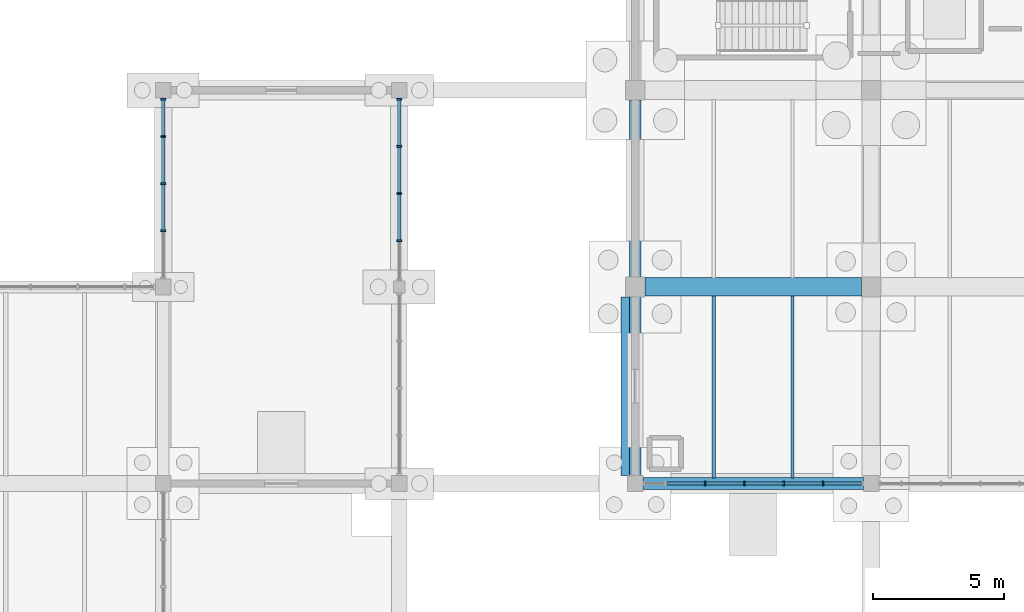
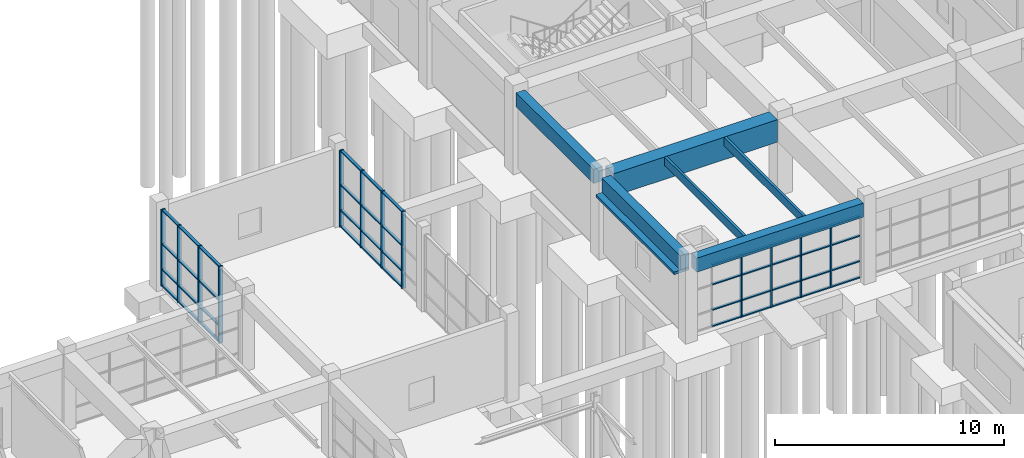
# One storey, part 21 of 93: 57 members, 6 beams, 3 elements without a shape of their own.
"""IFC4 building model written with IfcOpenShell, lengths in metres."""

from ifc_helpers import new_model, si_unit, direction, frame, origin, origin_2d, place, context, subcontext, project, spatial, rectangle, extrude, material, layer, layer_set, material_profile, profile_set, type_object, element, aggregate, save


model = new_model("IFC4")

# Units and contexts
model_context = context("Model", 3, precision=1e-05, world=origin(), true_north=direction((0.0, 1.0)))
body_context = subcontext(model_context, "Body", "Model", "MODEL_VIEW")
ifc_project = project(units=[si_unit("LENGTHUNIT", "METRE"), si_unit("AREAUNIT", "SQUARE_METRE"), si_unit("VOLUMEUNIT", "CUBIC_METRE"), si_unit("PLANEANGLEUNIT", "RADIAN"), si_unit("MASSUNIT", "GRAM", prefix="KILO")], contexts=[model_context])

# Site, building, storey
site_placement = place(None, origin())
site = spatial("IfcSite", under=ifc_project, at=site_placement, CompositionType="ELEMENT")
building_placement = place(site_placement, origin())
building = spatial("IfcBuilding", under=site, at=building_placement, Name="Marnridge Secondary College", CompositionType="ELEMENT")
storey_placement = place(building_placement, origin())
storey = spatial("IfcBuildingStorey", under=building, at=storey_placement, Name="L00", CompositionType="ELEMENT", Elevation=0.0)

# Beams
ifc_material_1 = material(Name="Engineered timber LVL E13.2", Category="wood")
ifc_material_profile_1 = material_profile(ifc_material_1, rectangle(XDim=0.1259765625, YDim=0.449951171875, at=origin_2d()), Name="LVL 126x450")
ifc_profile_set_1 = profile_set([ifc_material_profile_1], Name="Engineered timber LVL E13.2")
beam_type_1 = type_object("IfcBeamType", Name="BM-LVL450-INT", PredefinedType="JOIST", material=ifc_profile_set_1)
for number, where, z_axis, x_axis, name in (
    (1, (57.0, 37.718994140625, 3.85498046875), (0.0, 1.0, 0.0), (-1.0, 0.0, 0.0), "Beam BJ-L00-0093"),
    (2, (60.0, 37.718994140625, 3.85498046875), (0.0, 1.0, 0.0), (-1.0, 0.0, 0.0), "Beam BJ-L00-0094"),
):
    element("IfcBeam", number, at=place(storey_placement, frame(where, z_axis=z_axis, x_axis=x_axis)), inside=storey, type_object=beam_type_1, Name=name, PredefinedType="JOIST", context=body_context, shape_type="SweptSolid", body=[
        extrude(rectangle(XDim=0.1259765625, YDim=0.449951171875, at=origin_2d()), origin(), (0.0, 0.0, 1.0), 6.93701171875),
    ])
ifc_material_2 = material(Name="Concrete C40/50 (AS 3600 N40, 40 MPa)", Category="concrete")
ifc_material_profile_2 = material_profile(ifc_material_2, rectangle(XDim=0.449951171875, YDim=0.75, at=origin_2d()), Name="RC 450x750")
ifc_profile_set_2 = profile_set([ifc_material_profile_2], Name="Concrete C40/50 (AS 3600 N40, 40 MPa)")
beam_type_2 = type_object("IfcBeamType", Name="BM-RC4575-EXT", PredefinedType="SPANDREL", material=ifc_profile_set_2)
beam_1_placement = place(storey_placement, frame((54.2939453125, 37.5, 3.705078125), z_axis=(1.0, 0.0, 0.0), x_axis=(0.0, 1.0, 0.0)))
element("IfcBeam", 3, at=beam_1_placement, inside=storey, type_object=beam_type_2, Name="Beam BS-L00-0035", PredefinedType="SPANDREL", context=body_context, shape_type="SweptSolid", body=[
    extrude(rectangle(XDim=0.449951171875, YDim=0.75, at=origin_2d()), origin(), (0.0, 0.0, 1.0), 8.412109375),
])
beam_2_placement = place(storey_placement, frame((54.0, 37.7939453125, 3.705078125), z_axis=(0.0, 1.0, 0.0), x_axis=(-1.0, 0.0, 0.0)))
element("IfcBeam", 4, at=beam_2_placement, inside=storey, type_object=beam_type_2, Name="Beam BS-L00-0037", PredefinedType="SPANDREL", context=body_context, shape_type="SweptSolid", body=[
    extrude(rectangle(XDim=0.449951171875, YDim=0.75, at=origin_2d()), origin(), (0.0, 0.0, 1.0), 6.837158203125),
])
beam_3_placement = place(storey_placement, frame((54.0, 45.368896484375, 3.705078125), z_axis=(0.0, 1.0, 0.0), x_axis=(-1.0, 0.0, 0.0)))
element("IfcBeam", 5, at=beam_3_placement, inside=storey, type_object=beam_type_2, Name="Beam BS-L00-0040", PredefinedType="SPANDREL", context=body_context, shape_type="SweptSolid", body=[
    extrude(rectangle(XDim=0.449951171875, YDim=0.75, at=origin_2d()), origin(), (0.0, 0.0, 1.0), 6.76220703125),
])
ifc_material_3 = material(Name="Concrete C50/60 (AS 3600 N50, 50 MPa)", Category="concrete")
ifc_material_profile_3 = material_profile(ifc_material_3, rectangle(XDim=0.699951171875, YDim=1.199951171875, at=origin_2d()), Name="RC 700x1200")
ifc_profile_set_3 = profile_set([ifc_material_profile_3], Name="Concrete C50/60 (AS 3600 N50, 50 MPa)")
beam_type_3 = type_object("IfcBeamType", Name="BM-RC7012-INT", PredefinedType="BEAM", material=ifc_profile_set_3)
beam_4_placement = place(storey_placement, frame((54.368896484375, 45.0, 3.47998046875), z_axis=(1.0, 0.0, 0.0), x_axis=(0.0, 1.0, 0.0)))
element("IfcBeam", 6, at=beam_4_placement, inside=storey, type_object=beam_type_3, Name="Beam B-L00-0036", PredefinedType="BEAM", context=body_context, shape_type="SweptSolid", body=[
    extrude(rectangle(XDim=0.699951171875, YDim=1.199951171875, at=origin_2d()), origin(), (0.0, 0.0, 1.0), 8.26220703125),
])

# Curtain wall, members
ifc_material_4 = material(Name="Thermally broken aluminium and low-E glazing", Category="aluminium")
ifc_layer_1 = layer(ifc_material_4, 0.159912109375)
ifc_layer_set_1 = layer_set([ifc_layer_1], Name="CW-MOD-1500")
curtain_wall_type_1 = type_object("IfcCurtainWallType", Name="CW-MOD-1500", PredefinedType="NOTDEFINED", material=ifc_layer_set_1)
curtain_wall_1_placement = place(storey_placement, origin())
curtain_wall_1 = element("IfcCurtainWall", 7, at=curtain_wall_1_placement, inside=storey, type_object=curtain_wall_type_1, Name="Unitised curtain wall CW-L00-006", PredefinedType="NOTDEFINED")
ifc_material_5 = material(Name="Anodised aluminium 6063-T6", Category="aluminium")
ifc_material_profile_4 = material_profile(ifc_material_5, rectangle(XDim=0.06005859375, YDim=0.159912109375, at=origin_2d()), Name="ALU 60x160")
ifc_profile_set_4 = profile_set([ifc_material_profile_4], Name="Anodised aluminium 6063-T6")
member_type_1 = type_object("IfcMemberType", Name="CWM-ALU160", PredefinedType="MULLION", material=ifc_profile_set_4)
member_1_placement = place(storey_placement, frame((61.166015625, 37.5, 0.0), z_axis=(0.0, 0.0, 1.0), x_axis=(-1.0, 0.0, 0.0)))
member_1 = element("IfcMember", 8, at=member_1_placement, type_object=member_type_1, Name="CW-L00-006 mullion 2", PredefinedType="MULLION", context=body_context, shape_type="SweptSolid", body=[
    extrude(rectangle(XDim=0.06005859375, YDim=0.159912109375, at=origin_2d()), origin(), (0.0, 0.0, 1.0), 3.322021484375),
])
member_2_placement = place(storey_placement, frame((59.666015625, 37.5, 0.0), z_axis=(0.0, 0.0, 1.0), x_axis=(-1.0, 0.0, 0.0)))
member_2 = element("IfcMember", 9, at=member_2_placement, type_object=member_type_1, Name="CW-L00-006 mullion 3", PredefinedType="MULLION", context=body_context, shape_type="SweptSolid", body=[
    extrude(rectangle(XDim=0.06005859375, YDim=0.159912109375, at=origin_2d()), origin(), (0.0, 0.0, 1.0), 3.322021484375),
])
member_3_placement = place(storey_placement, frame((58.166015625, 37.5, 0.0), z_axis=(0.0, 0.0, 1.0), x_axis=(-1.0, 0.0, 0.0)))
member_3 = element("IfcMember", 10, at=member_3_placement, type_object=member_type_1, Name="CW-L00-006 mullion 4", PredefinedType="MULLION", context=body_context, shape_type="SweptSolid", body=[
    extrude(rectangle(XDim=0.06005859375, YDim=0.159912109375, at=origin_2d()), origin(), (0.0, 0.0, 1.0), 3.322021484375),
])
member_4_placement = place(storey_placement, frame((56.666015625, 37.5, 0.0), z_axis=(0.0, 0.0, 1.0), x_axis=(-1.0, 0.0, 0.0)))
member_4 = element("IfcMember", 11, at=member_4_placement, type_object=member_type_1, Name="CW-L00-006 mullion 5", PredefinedType="MULLION", context=body_context, shape_type="SweptSolid", body=[
    extrude(rectangle(XDim=0.06005859375, YDim=0.159912109375, at=origin_2d()), origin(), (0.0, 0.0, 1.0), 3.322021484375),
])

ifc_material_6 = material(Name="Bronze-anodised aluminium and solar-control glazing", Category="aluminium")
ifc_layer_2 = layer(ifc_material_6, 0.199951171875)
ifc_layer_set_2 = layer_set([ifc_layer_2], Name="CW-MOD-1800")
curtain_wall_type_2 = type_object("IfcCurtainWallType", Name="CW-MOD-1800", PredefinedType="NOTDEFINED", material=ifc_layer_set_2)
curtain_wall_2_placement = place(storey_placement, origin())
curtain_wall_2 = element("IfcCurtainWall", 12, at=curtain_wall_2_placement, inside=storey, type_object=curtain_wall_type_2, Name="Unitised curtain wall CW-L00-020", PredefinedType="NOTDEFINED")
ifc_material_7 = material(Name="Bronze-anodised aluminium 6063-T6", Category="aluminium")
ifc_material_profile_5 = material_profile(ifc_material_7, rectangle(XDim=0.070068359375, YDim=0.199951171875, at=origin_2d()), Name="ALU 70x200")
ifc_profile_set_5 = profile_set([ifc_material_profile_5], Name="Bronze-anodised aluminium 6063-T6")
member_type_2 = type_object("IfcMemberType", Name="CWM-ALU200", PredefinedType="MULLION", material=ifc_profile_set_5)
member_5_placement = place(storey_placement, frame((36.0, 47.138916015625, 0.0), z_axis=(0.0, 0.0, 1.0), x_axis=(0.0, 1.0, 0.0)))
member_5 = element("IfcMember", 13, at=member_5_placement, type_object=member_type_2, Name="CW-L00-020 mullion 2", PredefinedType="MULLION", context=body_context, shape_type="SweptSolid", body=[
    extrude(rectangle(XDim=0.070068359375, YDim=0.199951171875, at=origin_2d()), origin(), (0.0, 0.0, 1.0), 4.090087890625),
])
member_6_placement = place(storey_placement, frame((36.0, 48.93896484375, 0.0), z_axis=(0.0, 0.0, 1.0), x_axis=(0.0, 1.0, 0.0)))
member_6 = element("IfcMember", 14, at=member_6_placement, type_object=member_type_2, Name="CW-L00-020 mullion 3", PredefinedType="MULLION", context=body_context, shape_type="SweptSolid", body=[
    extrude(rectangle(XDim=0.070068359375, YDim=0.199951171875, at=origin_2d()), origin(), (0.0, 0.0, 1.0), 4.090087890625),
])
member_7_placement = place(storey_placement, frame((36.0, 50.739013671875, 0.0), z_axis=(0.0, 0.0, 1.0), x_axis=(0.0, 1.0, 0.0)))
member_7 = element("IfcMember", 15, at=member_7_placement, type_object=member_type_2, Name="CW-L00-020 mullion 4", PredefinedType="MULLION", context=body_context, shape_type="SweptSolid", body=[
    extrude(rectangle(XDim=0.070068359375, YDim=0.199951171875, at=origin_2d()), origin(), (0.0, 0.0, 1.0), 4.090087890625),
])
member_8_placement = place(storey_placement, frame((36.0, 52.160888671875, 0.0), z_axis=(0.0, 0.0, 1.0), x_axis=(0.0, 1.0, 0.0)))
member_8 = element("IfcMember", 16, at=member_8_placement, type_object=member_type_2, Name="CW-L00-020 mullion 5", PredefinedType="MULLION", context=body_context, shape_type="SweptSolid", body=[
    extrude(rectangle(XDim=0.070068359375, YDim=0.199951171875, at=origin_2d()), origin(), (0.0, 0.0, 1.0), 4.090087890625),
])

curtain_wall_3_placement = place(storey_placement, origin())
curtain_wall_3 = element("IfcCurtainWall", 17, at=curtain_wall_3_placement, inside=storey, type_object=curtain_wall_type_2, Name="Unitised curtain wall CW-L00-021", PredefinedType="NOTDEFINED")
member_9_placement = place(storey_placement, frame((45.0, 52.160888671875, 0.0), z_axis=(0.0, 0.0, 1.0), x_axis=(0.0, -1.0, 0.0)))
member_9 = element("IfcMember", 18, at=member_9_placement, type_object=member_type_2, Name="CW-L00-021 mullion 1", PredefinedType="MULLION", context=body_context, shape_type="SweptSolid", body=[
    extrude(rectangle(XDim=0.070068359375, YDim=0.199951171875, at=origin_2d()), origin(), (0.0, 0.0, 1.0), 4.090087890625),
])
member_10_placement = place(storey_placement, frame((45.0, 50.361083984375, 0.0), z_axis=(0.0, 0.0, 1.0), x_axis=(0.0, -1.0, 0.0)))
member_10 = element("IfcMember", 19, at=member_10_placement, type_object=member_type_2, Name="CW-L00-021 mullion 2", PredefinedType="MULLION", context=body_context, shape_type="SweptSolid", body=[
    extrude(rectangle(XDim=0.070068359375, YDim=0.199951171875, at=origin_2d()), origin(), (0.0, 0.0, 1.0), 4.090087890625),
])
member_11_placement = place(storey_placement, frame((45.0, 48.56103515625, 0.0), z_axis=(0.0, 0.0, 1.0), x_axis=(0.0, -1.0, 0.0)))
member_11 = element("IfcMember", 20, at=member_11_placement, type_object=member_type_2, Name="CW-L00-021 mullion 3", PredefinedType="MULLION", context=body_context, shape_type="SweptSolid", body=[
    extrude(rectangle(XDim=0.070068359375, YDim=0.199951171875, at=origin_2d()), origin(), (0.0, 0.0, 1.0), 4.090087890625),
])
member_12_placement = place(storey_placement, frame((45.0, 46.760986328125, 0.0), z_axis=(0.0, 0.0, 1.0), x_axis=(0.0, -1.0, 0.0)))
member_12 = element("IfcMember", 21, at=member_12_placement, type_object=member_type_2, Name="CW-L00-021 mullion 4", PredefinedType="MULLION", context=body_context, shape_type="SweptSolid", body=[
    extrude(rectangle(XDim=0.070068359375, YDim=0.199951171875, at=origin_2d()), origin(), (0.0, 0.0, 1.0), 4.090087890625),
])

# Member
ifc_material_8 = material(Name="Anodised aluminium 6063-T6", Category="aluminium")
ifc_material_profile_6 = material_profile(ifc_material_8, rectangle(XDim=0.06005859375, YDim=0.1201171875, at=origin_2d()), Name="ALU 60x120")
ifc_profile_set_6 = profile_set([ifc_material_profile_6], Name="Anodised aluminium 6063-T6")
member_type_3 = type_object("IfcMemberType", Name="CWT-ALU120", PredefinedType="USERDEFINED", material=ifc_profile_set_6)
member_13_placement = place(storey_placement, frame((62.635986328125, 37.5, 0.030029296875), z_axis=(-1.0, 0.0, 0.0), x_axis=(0.0, 0.0, 1.0)))
member_13 = element("IfcMember", 22, at=member_13_placement, type_object=member_type_3, Name="CW-L00-006 transom 1.1", ObjectType="TRANSOM", PredefinedType="USERDEFINED", context=body_context, shape_type="SweptSolid", body=[
    extrude(rectangle(XDim=0.06005859375, YDim=0.1201171875, at=origin_2d()), origin(), (0.0, 0.0, 1.0), 1.43994140625),
])

member_14_placement = place(storey_placement, frame((62.635986328125, 37.5, 0.89990234375), z_axis=(-1.0, 0.0, 0.0), x_axis=(0.0, 0.0, 1.0)))
member_14 = element("IfcMember", 23, at=member_14_placement, type_object=member_type_3, Name="CW-L00-006 transom 1.2", ObjectType="TRANSOM", PredefinedType="USERDEFINED", context=body_context, shape_type="SweptSolid", body=[
    extrude(rectangle(XDim=0.06005859375, YDim=0.1201171875, at=origin_2d()), origin(), (0.0, 0.0, 1.0), 1.43994140625),
])

member_15_placement = place(storey_placement, frame((62.635986328125, 37.5, 2.25), z_axis=(-1.0, 0.0, 0.0), x_axis=(0.0, 0.0, 1.0)))
member_15 = element("IfcMember", 24, at=member_15_placement, type_object=member_type_3, Name="CW-L00-006 transom 1.3", ObjectType="TRANSOM", PredefinedType="USERDEFINED", context=body_context, shape_type="SweptSolid", body=[
    extrude(rectangle(XDim=0.06005859375, YDim=0.1201171875, at=origin_2d()), origin(), (0.0, 0.0, 1.0), 1.43994140625),
])

member_16_placement = place(storey_placement, frame((62.635986328125, 37.5, 3.2919921875), z_axis=(-1.0, 0.0, 0.0), x_axis=(0.0, 0.0, 1.0)))
member_16 = element("IfcMember", 25, at=member_16_placement, type_object=member_type_3, Name="CW-L00-006 transom 1.4", ObjectType="TRANSOM", PredefinedType="USERDEFINED", context=body_context, shape_type="SweptSolid", body=[
    extrude(rectangle(XDim=0.06005859375, YDim=0.1201171875, at=origin_2d()), origin(), (0.0, 0.0, 1.0), 1.43994140625),
])

member_17_placement = place(storey_placement, frame((61.135986328125, 37.5, 0.030029296875), z_axis=(-1.0, 0.0, 0.0), x_axis=(0.0, 0.0, 1.0)))
member_17 = element("IfcMember", 26, at=member_17_placement, type_object=member_type_3, Name="CW-L00-006 transom 2.1", ObjectType="TRANSOM", PredefinedType="USERDEFINED", context=body_context, shape_type="SweptSolid", body=[
    extrude(rectangle(XDim=0.06005859375, YDim=0.1201171875, at=origin_2d()), origin(), (0.0, 0.0, 1.0), 1.43994140625),
])

member_18_placement = place(storey_placement, frame((61.135986328125, 37.5, 0.89990234375), z_axis=(-1.0, 0.0, 0.0), x_axis=(0.0, 0.0, 1.0)))
member_18 = element("IfcMember", 27, at=member_18_placement, type_object=member_type_3, Name="CW-L00-006 transom 2.2", ObjectType="TRANSOM", PredefinedType="USERDEFINED", context=body_context, shape_type="SweptSolid", body=[
    extrude(rectangle(XDim=0.06005859375, YDim=0.1201171875, at=origin_2d()), origin(), (0.0, 0.0, 1.0), 1.43994140625),
])

member_19_placement = place(storey_placement, frame((61.135986328125, 37.5, 2.25), z_axis=(-1.0, 0.0, 0.0), x_axis=(0.0, 0.0, 1.0)))
member_19 = element("IfcMember", 28, at=member_19_placement, type_object=member_type_3, Name="CW-L00-006 transom 2.3", ObjectType="TRANSOM", PredefinedType="USERDEFINED", context=body_context, shape_type="SweptSolid", body=[
    extrude(rectangle(XDim=0.06005859375, YDim=0.1201171875, at=origin_2d()), origin(), (0.0, 0.0, 1.0), 1.43994140625),
])

member_20_placement = place(storey_placement, frame((61.135986328125, 37.5, 3.2919921875), z_axis=(-1.0, 0.0, 0.0), x_axis=(0.0, 0.0, 1.0)))
member_20 = element("IfcMember", 29, at=member_20_placement, type_object=member_type_3, Name="CW-L00-006 transom 2.4", ObjectType="TRANSOM", PredefinedType="USERDEFINED", context=body_context, shape_type="SweptSolid", body=[
    extrude(rectangle(XDim=0.06005859375, YDim=0.1201171875, at=origin_2d()), origin(), (0.0, 0.0, 1.0), 1.43994140625),
])

member_21_placement = place(storey_placement, frame((59.635986328125, 37.5, 0.030029296875), z_axis=(-1.0, 0.0, 0.0), x_axis=(0.0, 0.0, 1.0)))
member_21 = element("IfcMember", 30, at=member_21_placement, type_object=member_type_3, Name="CW-L00-006 transom 3.1", ObjectType="TRANSOM", PredefinedType="USERDEFINED", context=body_context, shape_type="SweptSolid", body=[
    extrude(rectangle(XDim=0.06005859375, YDim=0.1201171875, at=origin_2d()), origin(), (0.0, 0.0, 1.0), 1.43994140625),
])

member_22_placement = place(storey_placement, frame((59.635986328125, 37.5, 0.89990234375), z_axis=(-1.0, 0.0, 0.0), x_axis=(0.0, 0.0, 1.0)))
member_22 = element("IfcMember", 31, at=member_22_placement, type_object=member_type_3, Name="CW-L00-006 transom 3.2", ObjectType="TRANSOM", PredefinedType="USERDEFINED", context=body_context, shape_type="SweptSolid", body=[
    extrude(rectangle(XDim=0.06005859375, YDim=0.1201171875, at=origin_2d()), origin(), (0.0, 0.0, 1.0), 1.43994140625),
])

member_23_placement = place(storey_placement, frame((59.635986328125, 37.5, 2.25), z_axis=(-1.0, 0.0, 0.0), x_axis=(0.0, 0.0, 1.0)))
member_23 = element("IfcMember", 32, at=member_23_placement, type_object=member_type_3, Name="CW-L00-006 transom 3.3", ObjectType="TRANSOM", PredefinedType="USERDEFINED", context=body_context, shape_type="SweptSolid", body=[
    extrude(rectangle(XDim=0.06005859375, YDim=0.1201171875, at=origin_2d()), origin(), (0.0, 0.0, 1.0), 1.43994140625),
])

member_24_placement = place(storey_placement, frame((59.635986328125, 37.5, 3.2919921875), z_axis=(-1.0, 0.0, 0.0), x_axis=(0.0, 0.0, 1.0)))
member_24 = element("IfcMember", 33, at=member_24_placement, type_object=member_type_3, Name="CW-L00-006 transom 3.4", ObjectType="TRANSOM", PredefinedType="USERDEFINED", context=body_context, shape_type="SweptSolid", body=[
    extrude(rectangle(XDim=0.06005859375, YDim=0.1201171875, at=origin_2d()), origin(), (0.0, 0.0, 1.0), 1.43994140625),
])

member_25_placement = place(storey_placement, frame((58.135986328125, 37.5, 0.030029296875), z_axis=(-1.0, 0.0, 0.0), x_axis=(0.0, 0.0, 1.0)))
member_25 = element("IfcMember", 34, at=member_25_placement, type_object=member_type_3, Name="CW-L00-006 transom 4.1", ObjectType="TRANSOM", PredefinedType="USERDEFINED", context=body_context, shape_type="SweptSolid", body=[
    extrude(rectangle(XDim=0.06005859375, YDim=0.1201171875, at=origin_2d()), origin(), (0.0, 0.0, 1.0), 1.43994140625),
])

member_26_placement = place(storey_placement, frame((58.135986328125, 37.5, 0.89990234375), z_axis=(-1.0, 0.0, 0.0), x_axis=(0.0, 0.0, 1.0)))
member_26 = element("IfcMember", 35, at=member_26_placement, type_object=member_type_3, Name="CW-L00-006 transom 4.2", ObjectType="TRANSOM", PredefinedType="USERDEFINED", context=body_context, shape_type="SweptSolid", body=[
    extrude(rectangle(XDim=0.06005859375, YDim=0.1201171875, at=origin_2d()), origin(), (0.0, 0.0, 1.0), 1.43994140625),
])

member_27_placement = place(storey_placement, frame((58.135986328125, 37.5, 2.25), z_axis=(-1.0, 0.0, 0.0), x_axis=(0.0, 0.0, 1.0)))
member_27 = element("IfcMember", 36, at=member_27_placement, type_object=member_type_3, Name="CW-L00-006 transom 4.3", ObjectType="TRANSOM", PredefinedType="USERDEFINED", context=body_context, shape_type="SweptSolid", body=[
    extrude(rectangle(XDim=0.06005859375, YDim=0.1201171875, at=origin_2d()), origin(), (0.0, 0.0, 1.0), 1.43994140625),
])

member_28_placement = place(storey_placement, frame((58.135986328125, 37.5, 3.2919921875), z_axis=(-1.0, 0.0, 0.0), x_axis=(0.0, 0.0, 1.0)))
member_28 = element("IfcMember", 37, at=member_28_placement, type_object=member_type_3, Name="CW-L00-006 transom 4.4", ObjectType="TRANSOM", PredefinedType="USERDEFINED", context=body_context, shape_type="SweptSolid", body=[
    extrude(rectangle(XDim=0.06005859375, YDim=0.1201171875, at=origin_2d()), origin(), (0.0, 0.0, 1.0), 1.43994140625),
])

member_29_placement = place(storey_placement, frame((56.635986328125, 37.5, 0.030029296875), z_axis=(-1.0, 0.0, 0.0), x_axis=(0.0, 0.0, 1.0)))
member_29 = element("IfcMember", 38, at=member_29_placement, type_object=member_type_3, Name="CW-L00-006 transom 5.1", ObjectType="TRANSOM", PredefinedType="USERDEFINED", context=body_context, shape_type="SweptSolid", body=[
    extrude(rectangle(XDim=0.06005859375, YDim=0.1201171875, at=origin_2d()), origin(), (0.0, 0.0, 1.0), 1.43994140625),
])

member_30_placement = place(storey_placement, frame((56.635986328125, 37.5, 0.89990234375), z_axis=(-1.0, 0.0, 0.0), x_axis=(0.0, 0.0, 1.0)))
member_30 = element("IfcMember", 39, at=member_30_placement, type_object=member_type_3, Name="CW-L00-006 transom 5.2", ObjectType="TRANSOM", PredefinedType="USERDEFINED", context=body_context, shape_type="SweptSolid", body=[
    extrude(rectangle(XDim=0.06005859375, YDim=0.1201171875, at=origin_2d()), origin(), (0.0, 0.0, 1.0), 1.43994140625),
])

member_31_placement = place(storey_placement, frame((56.635986328125, 37.5, 2.25), z_axis=(-1.0, 0.0, 0.0), x_axis=(0.0, 0.0, 1.0)))
member_31 = element("IfcMember", 40, at=member_31_placement, type_object=member_type_3, Name="CW-L00-006 transom 5.3", ObjectType="TRANSOM", PredefinedType="USERDEFINED", context=body_context, shape_type="SweptSolid", body=[
    extrude(rectangle(XDim=0.06005859375, YDim=0.1201171875, at=origin_2d()), origin(), (0.0, 0.0, 1.0), 1.43994140625),
])

member_32_placement = place(storey_placement, frame((56.635986328125, 37.5, 3.2919921875), z_axis=(-1.0, 0.0, 0.0), x_axis=(0.0, 0.0, 1.0)))
member_32 = element("IfcMember", 41, at=member_32_placement, type_object=member_type_3, Name="CW-L00-006 transom 5.4", ObjectType="TRANSOM", PredefinedType="USERDEFINED", context=body_context, shape_type="SweptSolid", body=[
    extrude(rectangle(XDim=0.06005859375, YDim=0.1201171875, at=origin_2d()), origin(), (0.0, 0.0, 1.0), 1.43994140625),
])

aggregate(curtain_wall_1, [member_1, member_2, member_3, member_4, member_13, member_14, member_15, member_16, member_17, member_18, member_19, member_20, member_21, member_22, member_23, member_24, member_25, member_26, member_27, member_28, member_29, member_30, member_31, member_32])

ifc_material_9 = material(Name="Anodised aluminium 6063-T6", Category="aluminium")
ifc_material_profile_7 = material_profile(ifc_material_9, rectangle(XDim=0.06494140625, YDim=0.139892578125, at=origin_2d()), Name="ALU 65x140")
ifc_profile_set_7 = profile_set([ifc_material_profile_7], Name="Anodised aluminium 6063-T6")
member_type_4 = type_object("IfcMemberType", Name="CWT-ALU140", PredefinedType="USERDEFINED", material=ifc_profile_set_7)
member_33_placement = place(storey_placement, frame((36.0, 47.174072265625, 0.032470703125), z_axis=(0.0, 1.0, 0.0), x_axis=(0.0, 0.0, 1.0)))
member_33 = element("IfcMember", 42, at=member_33_placement, type_object=member_type_4, Name="CW-L00-020 transom 2.1", ObjectType="TRANSOM", PredefinedType="USERDEFINED", context=body_context, shape_type="SweptSolid", body=[
    extrude(rectangle(XDim=0.06494140625, YDim=0.139892578125, at=origin_2d()), origin(), (0.0, 0.0, 1.0), 1.72998046875),
])

member_34_placement = place(storey_placement, frame((36.0, 47.174072265625, 0.89990234375), z_axis=(0.0, 1.0, 0.0), x_axis=(0.0, 0.0, 1.0)))
member_34 = element("IfcMember", 43, at=member_34_placement, type_object=member_type_4, Name="CW-L00-020 transom 2.2", ObjectType="TRANSOM", PredefinedType="USERDEFINED", context=body_context, shape_type="SweptSolid", body=[
    extrude(rectangle(XDim=0.06494140625, YDim=0.139892578125, at=origin_2d()), origin(), (0.0, 0.0, 1.0), 1.72998046875),
])

member_35_placement = place(storey_placement, frame((36.0, 47.174072265625, 2.25), z_axis=(0.0, 1.0, 0.0), x_axis=(0.0, 0.0, 1.0)))
member_35 = element("IfcMember", 44, at=member_35_placement, type_object=member_type_4, Name="CW-L00-020 transom 2.3", ObjectType="TRANSOM", PredefinedType="USERDEFINED", context=body_context, shape_type="SweptSolid", body=[
    extrude(rectangle(XDim=0.06494140625, YDim=0.139892578125, at=origin_2d()), origin(), (0.0, 0.0, 1.0), 1.72998046875),
])

member_36_placement = place(storey_placement, frame((36.0, 47.174072265625, 4.0576171875), z_axis=(0.0, 1.0, 0.0), x_axis=(0.0, 0.0, 1.0)))
member_36 = element("IfcMember", 45, at=member_36_placement, type_object=member_type_4, Name="CW-L00-020 transom 2.4", ObjectType="TRANSOM", PredefinedType="USERDEFINED", context=body_context, shape_type="SweptSolid", body=[
    extrude(rectangle(XDim=0.06494140625, YDim=0.139892578125, at=origin_2d()), origin(), (0.0, 0.0, 1.0), 1.72998046875),
])

member_37_placement = place(storey_placement, frame((36.0, 48.97412109375, 0.032470703125), z_axis=(0.0, 1.0, 0.0), x_axis=(0.0, 0.0, 1.0)))
member_37 = element("IfcMember", 46, at=member_37_placement, type_object=member_type_4, Name="CW-L00-020 transom 3.1", ObjectType="TRANSOM", PredefinedType="USERDEFINED", context=body_context, shape_type="SweptSolid", body=[
    extrude(rectangle(XDim=0.06494140625, YDim=0.139892578125, at=origin_2d()), origin(), (0.0, 0.0, 1.0), 1.72998046875),
])

member_38_placement = place(storey_placement, frame((36.0, 48.97412109375, 0.89990234375), z_axis=(0.0, 1.0, 0.0), x_axis=(0.0, 0.0, 1.0)))
member_38 = element("IfcMember", 47, at=member_38_placement, type_object=member_type_4, Name="CW-L00-020 transom 3.2", ObjectType="TRANSOM", PredefinedType="USERDEFINED", context=body_context, shape_type="SweptSolid", body=[
    extrude(rectangle(XDim=0.06494140625, YDim=0.139892578125, at=origin_2d()), origin(), (0.0, 0.0, 1.0), 1.72998046875),
])

member_39_placement = place(storey_placement, frame((36.0, 48.97412109375, 2.25), z_axis=(0.0, 1.0, 0.0), x_axis=(0.0, 0.0, 1.0)))
member_39 = element("IfcMember", 48, at=member_39_placement, type_object=member_type_4, Name="CW-L00-020 transom 3.3", ObjectType="TRANSOM", PredefinedType="USERDEFINED", context=body_context, shape_type="SweptSolid", body=[
    extrude(rectangle(XDim=0.06494140625, YDim=0.139892578125, at=origin_2d()), origin(), (0.0, 0.0, 1.0), 1.72998046875),
])

member_40_placement = place(storey_placement, frame((36.0, 48.97412109375, 4.0576171875), z_axis=(0.0, 1.0, 0.0), x_axis=(0.0, 0.0, 1.0)))
member_40 = element("IfcMember", 49, at=member_40_placement, type_object=member_type_4, Name="CW-L00-020 transom 3.4", ObjectType="TRANSOM", PredefinedType="USERDEFINED", context=body_context, shape_type="SweptSolid", body=[
    extrude(rectangle(XDim=0.06494140625, YDim=0.139892578125, at=origin_2d()), origin(), (0.0, 0.0, 1.0), 1.72998046875),
])

member_41_placement = place(storey_placement, frame((36.0, 50.77392578125, 0.032470703125), z_axis=(0.0, 1.0, 0.0), x_axis=(0.0, 0.0, 1.0)))
member_41 = element("IfcMember", 50, at=member_41_placement, type_object=member_type_4, Name="CW-L00-020 transom 4.1", ObjectType="TRANSOM", PredefinedType="USERDEFINED", context=body_context, shape_type="SweptSolid", body=[
    extrude(rectangle(XDim=0.06494140625, YDim=0.139892578125, at=origin_2d()), origin(), (0.0, 0.0, 1.0), 1.35205078125),
])

member_42_placement = place(storey_placement, frame((36.0, 50.77392578125, 0.89990234375), z_axis=(0.0, 1.0, 0.0), x_axis=(0.0, 0.0, 1.0)))
member_42 = element("IfcMember", 51, at=member_42_placement, type_object=member_type_4, Name="CW-L00-020 transom 4.2", ObjectType="TRANSOM", PredefinedType="USERDEFINED", context=body_context, shape_type="SweptSolid", body=[
    extrude(rectangle(XDim=0.06494140625, YDim=0.139892578125, at=origin_2d()), origin(), (0.0, 0.0, 1.0), 1.35205078125),
])

member_43_placement = place(storey_placement, frame((36.0, 50.77392578125, 2.25), z_axis=(0.0, 1.0, 0.0), x_axis=(0.0, 0.0, 1.0)))
member_43 = element("IfcMember", 52, at=member_43_placement, type_object=member_type_4, Name="CW-L00-020 transom 4.3", ObjectType="TRANSOM", PredefinedType="USERDEFINED", context=body_context, shape_type="SweptSolid", body=[
    extrude(rectangle(XDim=0.06494140625, YDim=0.139892578125, at=origin_2d()), origin(), (0.0, 0.0, 1.0), 1.35205078125),
])

member_44_placement = place(storey_placement, frame((36.0, 50.77392578125, 4.0576171875), z_axis=(0.0, 1.0, 0.0), x_axis=(0.0, 0.0, 1.0)))
member_44 = element("IfcMember", 53, at=member_44_placement, type_object=member_type_4, Name="CW-L00-020 transom 4.4", ObjectType="TRANSOM", PredefinedType="USERDEFINED", context=body_context, shape_type="SweptSolid", body=[
    extrude(rectangle(XDim=0.06494140625, YDim=0.139892578125, at=origin_2d()), origin(), (0.0, 0.0, 1.0), 1.35205078125),
])

aggregate(curtain_wall_2, [member_5, member_6, member_7, member_8, member_33, member_34, member_35, member_36, member_37, member_38, member_39, member_40, member_41, member_42, member_43, member_44])

member_45_placement = place(storey_placement, frame((45.0, 52.1259765625, 0.032470703125), z_axis=(0.0, -1.0, 0.0), x_axis=(0.0, 0.0, 1.0)))
member_45 = element("IfcMember", 54, at=member_45_placement, type_object=member_type_4, Name="CW-L00-021 transom 1.1", ObjectType="TRANSOM", PredefinedType="USERDEFINED", context=body_context, shape_type="SweptSolid", body=[
    extrude(rectangle(XDim=0.06494140625, YDim=0.139892578125, at=origin_2d()), origin(), (0.0, 0.0, 1.0), 1.72998046875),
])

member_46_placement = place(storey_placement, frame((45.0, 52.1259765625, 0.89990234375), z_axis=(0.0, -1.0, 0.0), x_axis=(0.0, 0.0, 1.0)))
member_46 = element("IfcMember", 55, at=member_46_placement, type_object=member_type_4, Name="CW-L00-021 transom 1.2", ObjectType="TRANSOM", PredefinedType="USERDEFINED", context=body_context, shape_type="SweptSolid", body=[
    extrude(rectangle(XDim=0.06494140625, YDim=0.139892578125, at=origin_2d()), origin(), (0.0, 0.0, 1.0), 1.72998046875),
])

member_47_placement = place(storey_placement, frame((45.0, 52.1259765625, 2.25), z_axis=(0.0, -1.0, 0.0), x_axis=(0.0, 0.0, 1.0)))
member_47 = element("IfcMember", 56, at=member_47_placement, type_object=member_type_4, Name="CW-L00-021 transom 1.3", ObjectType="TRANSOM", PredefinedType="USERDEFINED", context=body_context, shape_type="SweptSolid", body=[
    extrude(rectangle(XDim=0.06494140625, YDim=0.139892578125, at=origin_2d()), origin(), (0.0, 0.0, 1.0), 1.72998046875),
])

member_48_placement = place(storey_placement, frame((45.0, 52.1259765625, 4.0576171875), z_axis=(0.0, -1.0, 0.0), x_axis=(0.0, 0.0, 1.0)))
member_48 = element("IfcMember", 57, at=member_48_placement, type_object=member_type_4, Name="CW-L00-021 transom 1.4", ObjectType="TRANSOM", PredefinedType="USERDEFINED", context=body_context, shape_type="SweptSolid", body=[
    extrude(rectangle(XDim=0.06494140625, YDim=0.139892578125, at=origin_2d()), origin(), (0.0, 0.0, 1.0), 1.72998046875),
])

member_49_placement = place(storey_placement, frame((45.0, 50.325927734375, 0.032470703125), z_axis=(0.0, -1.0, 0.0), x_axis=(0.0, 0.0, 1.0)))
member_49 = element("IfcMember", 58, at=member_49_placement, type_object=member_type_4, Name="CW-L00-021 transom 2.1", ObjectType="TRANSOM", PredefinedType="USERDEFINED", context=body_context, shape_type="SweptSolid", body=[
    extrude(rectangle(XDim=0.06494140625, YDim=0.139892578125, at=origin_2d()), origin(), (0.0, 0.0, 1.0), 1.72998046875),
])

member_50_placement = place(storey_placement, frame((45.0, 50.325927734375, 0.89990234375), z_axis=(0.0, -1.0, 0.0), x_axis=(0.0, 0.0, 1.0)))
member_50 = element("IfcMember", 59, at=member_50_placement, type_object=member_type_4, Name="CW-L00-021 transom 2.2", ObjectType="TRANSOM", PredefinedType="USERDEFINED", context=body_context, shape_type="SweptSolid", body=[
    extrude(rectangle(XDim=0.06494140625, YDim=0.139892578125, at=origin_2d()), origin(), (0.0, 0.0, 1.0), 1.72998046875),
])

member_51_placement = place(storey_placement, frame((45.0, 50.325927734375, 2.25), z_axis=(0.0, -1.0, 0.0), x_axis=(0.0, 0.0, 1.0)))
member_51 = element("IfcMember", 60, at=member_51_placement, type_object=member_type_4, Name="CW-L00-021 transom 2.3", ObjectType="TRANSOM", PredefinedType="USERDEFINED", context=body_context, shape_type="SweptSolid", body=[
    extrude(rectangle(XDim=0.06494140625, YDim=0.139892578125, at=origin_2d()), origin(), (0.0, 0.0, 1.0), 1.72998046875),
])

member_52_placement = place(storey_placement, frame((45.0, 50.325927734375, 4.0576171875), z_axis=(0.0, -1.0, 0.0), x_axis=(0.0, 0.0, 1.0)))
member_52 = element("IfcMember", 61, at=member_52_placement, type_object=member_type_4, Name="CW-L00-021 transom 2.4", ObjectType="TRANSOM", PredefinedType="USERDEFINED", context=body_context, shape_type="SweptSolid", body=[
    extrude(rectangle(XDim=0.06494140625, YDim=0.139892578125, at=origin_2d()), origin(), (0.0, 0.0, 1.0), 1.72998046875),
])

member_53_placement = place(storey_placement, frame((45.0, 48.52587890625, 0.032470703125), z_axis=(0.0, -1.0, 0.0), x_axis=(0.0, 0.0, 1.0)))
member_53 = element("IfcMember", 62, at=member_53_placement, type_object=member_type_4, Name="CW-L00-021 transom 3.1", ObjectType="TRANSOM", PredefinedType="USERDEFINED", context=body_context, shape_type="SweptSolid", body=[
    extrude(rectangle(XDim=0.06494140625, YDim=0.139892578125, at=origin_2d()), origin(), (0.0, 0.0, 1.0), 1.72998046875),
])

member_54_placement = place(storey_placement, frame((45.0, 48.52587890625, 0.89990234375), z_axis=(0.0, -1.0, 0.0), x_axis=(0.0, 0.0, 1.0)))
member_54 = element("IfcMember", 63, at=member_54_placement, type_object=member_type_4, Name="CW-L00-021 transom 3.2", ObjectType="TRANSOM", PredefinedType="USERDEFINED", context=body_context, shape_type="SweptSolid", body=[
    extrude(rectangle(XDim=0.06494140625, YDim=0.139892578125, at=origin_2d()), origin(), (0.0, 0.0, 1.0), 1.72998046875),
])

member_55_placement = place(storey_placement, frame((45.0, 48.52587890625, 2.25), z_axis=(0.0, -1.0, 0.0), x_axis=(0.0, 0.0, 1.0)))
member_55 = element("IfcMember", 64, at=member_55_placement, type_object=member_type_4, Name="CW-L00-021 transom 3.3", ObjectType="TRANSOM", PredefinedType="USERDEFINED", context=body_context, shape_type="SweptSolid", body=[
    extrude(rectangle(XDim=0.06494140625, YDim=0.139892578125, at=origin_2d()), origin(), (0.0, 0.0, 1.0), 1.72998046875),
])

member_56_placement = place(storey_placement, frame((45.0, 48.52587890625, 4.0576171875), z_axis=(0.0, -1.0, 0.0), x_axis=(0.0, 0.0, 1.0)))
member_56 = element("IfcMember", 65, at=member_56_placement, type_object=member_type_4, Name="CW-L00-021 transom 3.4", ObjectType="TRANSOM", PredefinedType="USERDEFINED", context=body_context, shape_type="SweptSolid", body=[
    extrude(rectangle(XDim=0.06494140625, YDim=0.139892578125, at=origin_2d()), origin(), (0.0, 0.0, 1.0), 1.72998046875),
])

aggregate(curtain_wall_3, [member_9, member_10, member_11, member_12, member_45, member_46, member_47, member_48, member_49, member_50, member_51, member_52, member_53, member_54, member_55, member_56])

ifc_material_10 = material(Name="Precast concrete C40/50 (AS 3600 N40, 40 MPa)", Category="concrete")
ifc_material_profile_8 = material_profile(ifc_material_10, rectangle(XDim=0.139892578125, YDim=0.75, at=origin_2d()), Name="FIN PC 140x750")
ifc_profile_set_8 = profile_set([ifc_material_profile_8], Name="Precast concrete C40/50 (AS 3600 N40, 40 MPa)")
member_type_5 = type_object("IfcMemberType", Name="MB-FIN-PC750", PredefinedType="USERDEFINED", material=ifc_profile_set_8)
member_57_placement = place(storey_placement, frame((53.840087890625, 37.800048828125, 3.241943359375), z_axis=(0.0, 1.0, 0.0), x_axis=(0.0, 0.0, 1.0)))
element("IfcMember", 66, at=member_57_placement, inside=storey, type_object=member_type_5, Name="Solar shading fin SFN-0003", ObjectType="SOLAR FIN", PredefinedType="USERDEFINED", context=body_context, shape_type="SweptSolid", body=[
    extrude(rectangle(XDim=0.139892578125, YDim=0.75, at=origin_2d()), origin(), (0.0, 0.0, 1.0), 6.824951171875),
])

save(model, "model.ifc")
